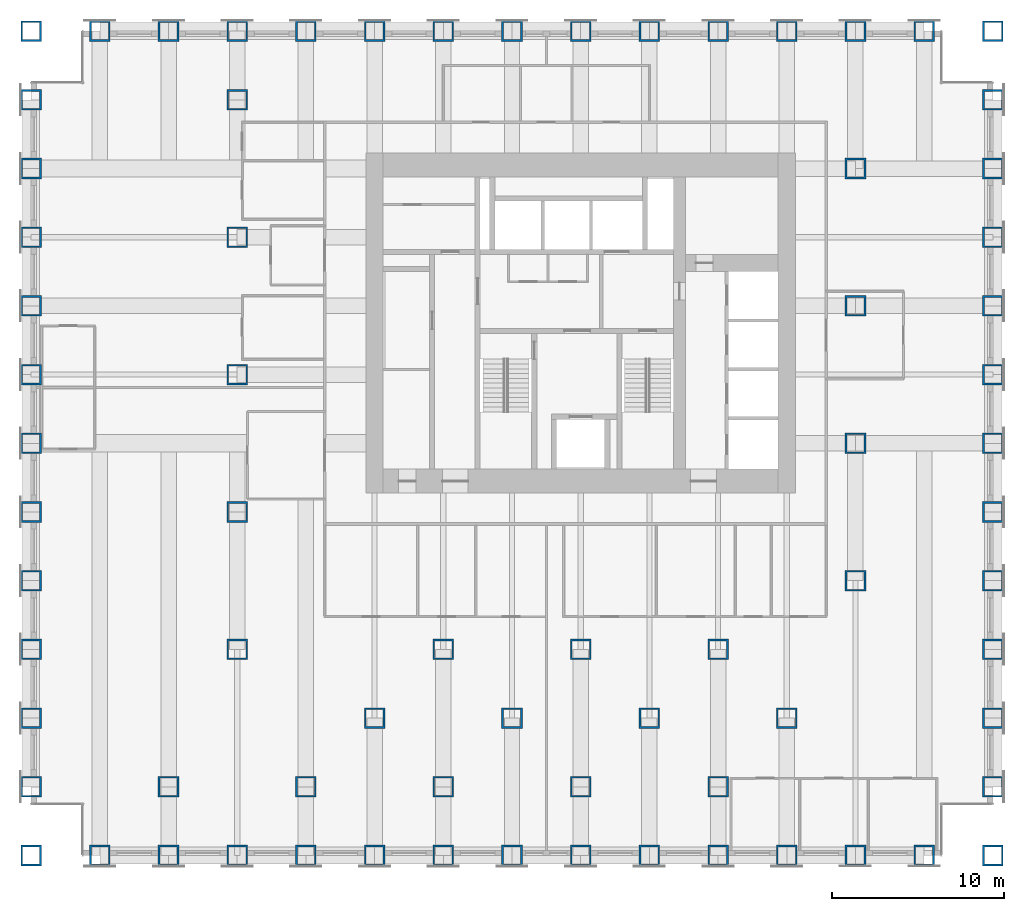
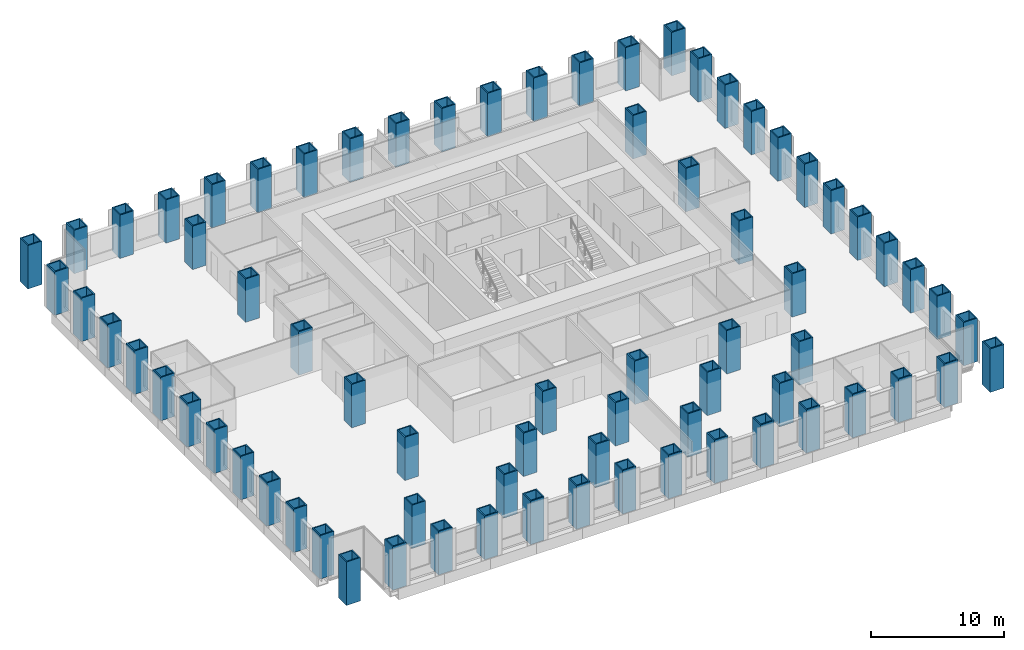
# One storey, part 1 of 15: 73 columns.
"""IFC4 building model written with IfcOpenShell, lengths in metres."""

from ifc_helpers import new_model, si_unit, direction, frame, origin, origin_2d, place, context, subcontext, project, spatial, hollow_rectangle, extrude, material, material_profile, profile_set, type_object, element, save


model = new_model("IFC4")

# Units and contexts
model_context = context("Model", 3, precision=1e-05, world=origin(), true_north=direction((0.0, 1.0)))
body_context = subcontext(model_context, "Body", "Model", "MODEL_VIEW")
ifc_project = project(units=[si_unit("LENGTHUNIT", "METRE"), si_unit("AREAUNIT", "SQUARE_METRE"), si_unit("VOLUMEUNIT", "CUBIC_METRE"), si_unit("PLANEANGLEUNIT", "RADIAN"), si_unit("MASSUNIT", "GRAM", prefix="KILO")], contexts=[model_context])

# Site, building, storey
site_placement = place(None, origin())
site = spatial("IfcSite", under=ifc_project, at=site_placement, CompositionType="ELEMENT")
building_placement = place(site_placement, origin())
building = spatial("IfcBuilding", under=site, at=building_placement, Name="Rimbunsela Tower", CompositionType="ELEMENT")
storey_placement = place(building_placement, frame((0.0, 0.0, 35.0)))
storey = spatial("IfcBuildingStorey", under=building, at=storey_placement, Name="L08", CompositionType="ELEMENT", Elevation=35.0)

# Columns
ifc_material = material(Name="Steel BJ 55 (fy 410 MPa)", Category="steel")
ifc_material_profile = material_profile(ifc_material, hollow_rectangle(XDim=1.199951171875, YDim=1.199951171875, WallThickness=0.10009765625, at=origin_2d()), Name="BOX 1200x1200x100")
ifc_profile_set = profile_set([ifc_material_profile], Name="Steel BJ 55 (fy 410 MPa)")
column_type = type_object("IfcColumnType", Name="Column BOX 1200x1200x100", PredefinedType="COLUMN", material=ifc_profile_set)
for number, where, z_axis, x_axis, name in (
    (1, (-2.0, -4.0, 0.0), (0.0, 0.0, 1.0), (1.0, 0.0, 0.0), "Column C7 2/A L08"),
    (2, (-2.0, 0.0, 0.0), (0.0, 0.0, 1.0), (1.0, 0.0, 0.0), "Column C7 2/B L08"),
    (3, (-2.0, 4.0, 0.0), (0.0, 0.0, 1.0), (1.0, 0.0, 0.0), "Column C7 2/C L08"),
    (4, (-2.0, 8.0, 0.0), (0.0, 0.0, 1.0), (1.0, 0.0, 0.0), "Column C7 2/D L08"),
    (5, (-2.0, 12.0, 0.0), (0.0, 0.0, 1.0), (1.0, 0.0, 0.0), "Column C7 2/E L08"),
    (6, (-2.0, 16.0, 0.0), (0.0, 0.0, 1.0), (1.0, 0.0, 0.0), "Column C7 2/F L08"),
    (7, (-2.0, 20.0, 0.0), (0.0, 0.0, 1.0), (1.0, 0.0, 0.0), "Column C7 2/G L08"),
    (8, (-2.0, 24.0, 0.0), (0.0, 0.0, 1.0), (1.0, 0.0, 0.0), "Column C7 2/H L08"),
    (9, (-2.0, 28.0, 0.0), (0.0, 0.0, 1.0), (1.0, 0.0, 0.0), "Column C7 2/J L08"),
    (10, (-2.0, 32.0, 0.0), (0.0, 0.0, 1.0), (1.0, 0.0, 0.0), "Column C7 2/K L08"),
    (11, (-2.0, 36.0, 0.0), (0.0, 0.0, 1.0), (1.0, 0.0, 0.0), "Column C7 2/L L08"),
    (12, (-2.0, 40.0, 0.0), (0.0, 0.0, 1.0), (1.0, 0.0, 0.0), "Column C7 2/M L08"),
    (13, (-2.0, 44.0, 0.0), (0.0, 0.0, 1.0), (1.0, 0.0, 0.0), "Column C7 2/N L08"),
    (14, (2.0, -4.0, 0.0), (0.0, 0.0, 1.0), (1.0, 0.0, 0.0), "Column C7 3/A L08"),
    (15, (2.0, 44.0, 0.0), (0.0, 0.0, 1.0), (1.0, 0.0, 0.0), "Column C7 3/N L08"),
    (16, (6.0, -4.0, 0.0), (0.0, 0.0, 1.0), (1.0, 0.0, 0.0), "Column C7 4/A L08"),
    (17, (6.0, 44.0, 0.0), (0.0, 0.0, 1.0), (1.0, 0.0, 0.0), "Column C7 4/N L08"),
    (18, (10.0, -4.0, 0.0), (0.0, 0.0, 1.0), (1.0, 0.0, 0.0), "Column C7 5/A L08"),
    (19, (10.0, 44.0, 0.0), (0.0, 0.0, 1.0), (1.0, 0.0, 0.0), "Column C7 5/N L08"),
    (20, (14.0, -4.0, 0.0), (0.0, 0.0, 1.0), (1.0, 0.0, 0.0), "Column C7 6/A L08"),
    (21, (14.0, 44.0, 0.0), (0.0, 0.0, 1.0), (1.0, 0.0, 0.0), "Column C7 6/N L08"),
    (22, (18.0, -4.0, 0.0), (0.0, 0.0, 1.0), (1.0, 0.0, 0.0), "Column C7 7/A L08"),
    (23, (18.0, 44.0, 0.0), (0.0, 0.0, 1.0), (1.0, 0.0, 0.0), "Column C7 7/N L08"),
    (24, (22.0, -4.0, 0.0), (0.0, 0.0, 1.0), (1.0, 0.0, 0.0), "Column C7 8/A L08"),
    (25, (22.0, 44.0, 0.0), (0.0, 0.0, 1.0), (1.0, 0.0, 0.0), "Column C7 8/N L08"),
    (26, (26.0, -4.0, 0.0), (0.0, 0.0, 1.0), (1.0, 0.0, 0.0), "Column C7 9/A L08"),
    (27, (26.0, 44.0, 0.0), (0.0, 0.0, 1.0), (1.0, 0.0, 0.0), "Column C7 9/N L08"),
    (28, (30.0, -4.0, 0.0), (0.0, 0.0, 1.0), (1.0, 0.0, 0.0), "Column C7 10/A L08"),
    (29, (30.0, 44.0, 0.0), (0.0, 0.0, 1.0), (1.0, 0.0, 0.0), "Column C7 10/N L08"),
    (30, (34.0, -4.0, 0.0), (0.0, 0.0, 1.0), (1.0, 0.0, 0.0), "Column C7 11/A L08"),
    (31, (34.0, 44.0, 0.0), (0.0, 0.0, 1.0), (1.0, 0.0, 0.0), "Column C7 11/N L08"),
    (32, (38.0, -4.0, 0.0), (0.0, 0.0, 1.0), (1.0, 0.0, 0.0), "Column C7 12/A L08"),
    (33, (38.0, 44.0, 0.0), (0.0, 0.0, 1.0), (1.0, 0.0, 0.0), "Column C7 12/N L08"),
    (34, (42.0, -4.0, 0.0), (0.0, 0.0, 1.0), (1.0, 0.0, 0.0), "Column C7 13/A L08"),
    (35, (42.0, 44.0, 0.0), (0.0, 0.0, 1.0), (1.0, 0.0, 0.0), "Column C7 13/N L08"),
    (36, (46.0, -4.0, 0.0), (0.0, 0.0, 1.0), (1.0, 0.0, 0.0), "Column C7 14/A L08"),
    (37, (46.0, 44.0, 0.0), (0.0, 0.0, 1.0), (1.0, 0.0, 0.0), "Column C7 14/N L08"),
    (38, (50.0, -4.0, 0.0), (0.0, 0.0, 1.0), (1.0, 0.0, 0.0), "Column C7 15/A L08"),
    (39, (50.0, 44.0, 0.0), (0.0, 0.0, 1.0), (1.0, 0.0, 0.0), "Column C7 15/N L08"),
    (40, (54.0, -4.0, 0.0), (0.0, 0.0, 1.0), (1.0, 0.0, 0.0), "Column C7 16/A L08"),
    (41, (54.0, 0.0, 0.0), (0.0, 0.0, 1.0), (1.0, 0.0, 0.0), "Column C7 16/B L08"),
    (42, (54.0, 4.0, 0.0), (0.0, 0.0, 1.0), (1.0, 0.0, 0.0), "Column C7 16/C L08"),
    (43, (54.0, 8.0, 0.0), (0.0, 0.0, 1.0), (1.0, 0.0, 0.0), "Column C7 16/D L08"),
    (44, (54.0, 12.0, 0.0), (0.0, 0.0, 1.0), (1.0, 0.0, 0.0), "Column C7 16/E L08"),
    (45, (54.0, 16.0, 0.0), (0.0, 0.0, 1.0), (1.0, 0.0, 0.0), "Column C7 16/F L08"),
    (46, (54.0, 20.0, 0.0), (0.0, 0.0, 1.0), (1.0, 0.0, 0.0), "Column C7 16/G L08"),
    (47, (54.0, 24.0, 0.0), (0.0, 0.0, 1.0), (1.0, 0.0, 0.0), "Column C7 16/H L08"),
    (48, (54.0, 28.0, 0.0), (0.0, 0.0, 1.0), (1.0, 0.0, 0.0), "Column C7 16/J L08"),
    (49, (54.0, 32.0, 0.0), (0.0, 0.0, 1.0), (1.0, 0.0, 0.0), "Column C7 16/K L08"),
    (50, (54.0, 36.0, 0.0), (0.0, 0.0, 1.0), (1.0, 0.0, 0.0), "Column C7 16/L L08"),
    (51, (54.0, 40.0, 0.0), (0.0, 0.0, 1.0), (1.0, 0.0, 0.0), "Column C7 16/M L08"),
    (52, (54.0, 44.0, 0.0), (0.0, 0.0, 1.0), (1.0, 0.0, 0.0), "Column C7 16/N L08"),
    (53, (6.0, 0.0, 0.0), (0.0, 0.0, 1.0), (1.0, 0.0, 0.0), "Column C7 4/B L08"),
    (54, (10.0, 8.0, 0.0), (0.0, 0.0, 1.0), (1.0, 0.0, 0.0), "Column C7 5/D L08"),
    (55, (10.0, 16.0, 0.0), (0.0, 0.0, 1.0), (1.0, 0.0, 0.0), "Column C7 5/F L08"),
    (56, (10.0, 24.0, 0.0), (0.0, 0.0, 1.0), (1.0, 0.0, 0.0), "Column C7 5/H L08"),
    (57, (10.0, 32.0, 0.0), (0.0, 0.0, 1.0), (1.0, 0.0, 0.0), "Column C7 5/K L08"),
    (58, (10.0, 40.0, 0.0), (0.0, 0.0, 1.0), (1.0, 0.0, 0.0), "Column C7 5/M L08"),
    (59, (14.0, 0.0, 0.0), (0.0, 0.0, 1.0), (1.0, 0.0, 0.0), "Column C7 6/B L08"),
    (60, (18.0, 4.0, 0.0), (0.0, 0.0, 1.0), (1.0, 0.0, 0.0), "Column C7 7/C L08"),
    (61, (22.0, 0.0, 0.0), (0.0, 0.0, 1.0), (1.0, 0.0, 0.0), "Column C7 8/B L08"),
    (62, (22.0, 8.0, 0.0), (0.0, 0.0, 1.0), (1.0, 0.0, 0.0), "Column C7 8/D L08"),
    (63, (26.0, 4.0, 0.0), (0.0, 0.0, 1.0), (1.0, 0.0, 0.0), "Column C7 9/C L08"),
    (64, (30.0, 0.0, 0.0), (0.0, 0.0, 1.0), (1.0, 0.0, 0.0), "Column C7 10/B L08"),
    (65, (30.0, 8.0, 0.0), (0.0, 0.0, 1.0), (1.0, 0.0, 0.0), "Column C7 10/D L08"),
    (66, (34.0, 4.0, 0.0), (0.0, 0.0, 1.0), (1.0, 0.0, 0.0), "Column C7 11/C L08"),
    (67, (38.0, 0.0, 0.0), (0.0, 0.0, 1.0), (1.0, 0.0, 0.0), "Column C7 12/B L08"),
    (68, (38.0, 8.0, 0.0), (0.0, 0.0, 1.0), (1.0, 0.0, 0.0), "Column C7 12/D L08"),
    (69, (42.0, 4.0, 0.0), (0.0, 0.0, 1.0), (1.0, 0.0, 0.0), "Column C7 13/C L08"),
    (70, (46.0, 12.0, 0.0), (0.0, 0.0, 1.0), (1.0, 0.0, 0.0), "Column C7 14/E L08"),
    (71, (46.0, 20.0, 0.0), (0.0, 0.0, 1.0), (1.0, 0.0, 0.0), "Column C7 14/G L08"),
    (72, (46.0, 28.0, 0.0), (0.0, 0.0, 1.0), (1.0, 0.0, 0.0), "Column C7 14/J L08"),
    (73, (46.0, 36.0, 0.0), (0.0, 0.0, 1.0), (1.0, 0.0, 0.0), "Column C7 14/L L08"),
):
    element("IfcColumn", number, at=place(storey_placement, frame(where, z_axis=z_axis, x_axis=x_axis)), inside=storey, type_object=column_type, Name=name, PredefinedType="COLUMN", context=body_context, shape_type="SweptSolid", body=[
        extrude(hollow_rectangle(XDim=1.199951171875, YDim=1.199951171875, WallThickness=0.10009765625, at=origin_2d()), origin(), (0.0, 0.0, 1.0), 4.0),
    ])

save(model, "model.ifc")
